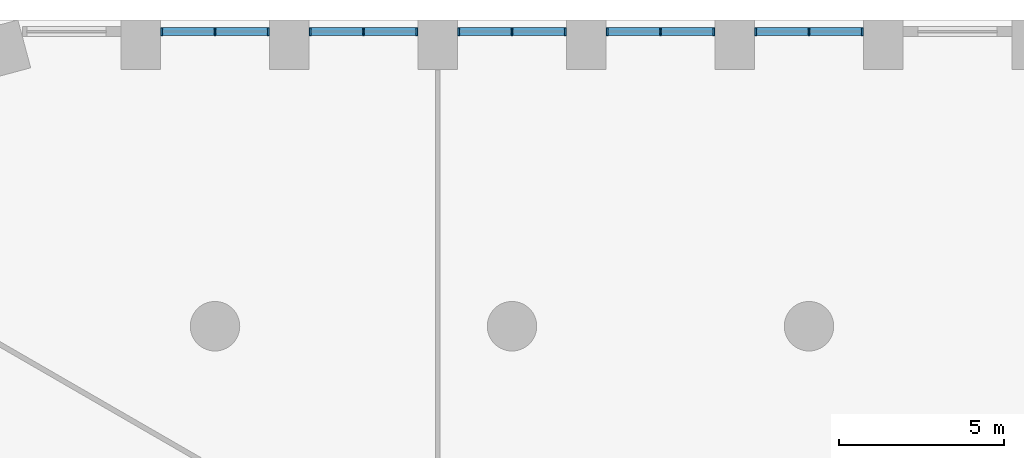
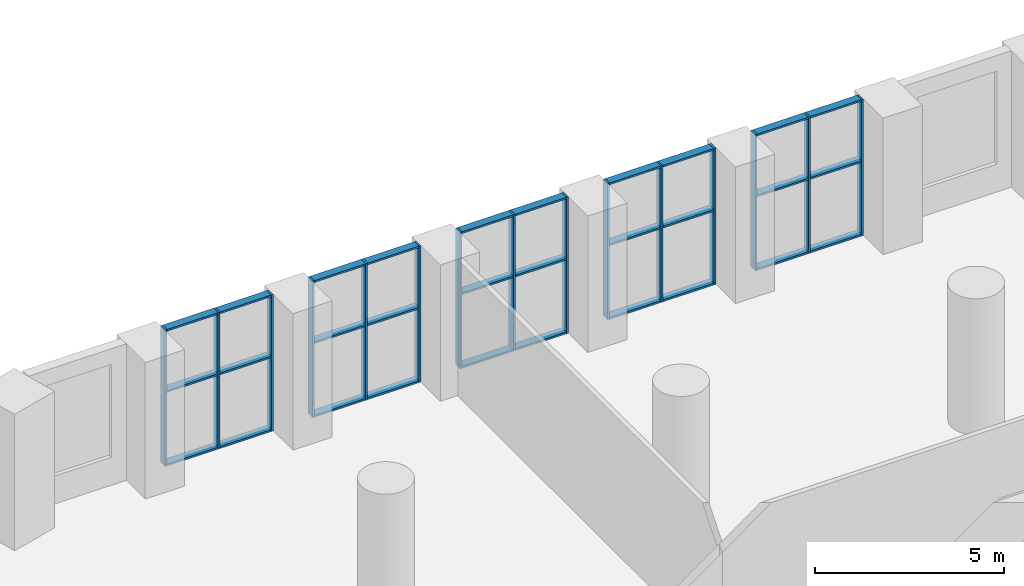
# One storey, part 3 of 21: 45 members, 5 elements without a shape of their own.
"""IFC4 building model written with IfcOpenShell, lengths in metres."""

import ifcopenshell
import ifcopenshell.guid

model = None  # the IFC model being written
_history = None  # IfcOwnerHistory: only IFC2X3 demands one
_inside = {}  # id of a spatial element -> (the spatial element, [elements in it])
_under = {}  # id of a project, library or spatial element -> (it, [spatial elements below it])
_declared = {}  # id of a project -> (the project, [libraries it declares])
_typed = {}  # id of a type object -> (the type object, [elements of that type])
_made_of = {}  # id of a material, layer set ... -> (it, [elements and type objects made of it])


def new_model(schema):
    """Start an empty IFC model of exactly this schema.

    Asked for "IFC4X3", IfcOpenShell would pick the latest addendum, in which some entities
    have other attributes; the version numbers below select the first issue.
    IFC2X3 requires an IfcOwnerHistory on every rooted entity: one is made here for all.
    """
    global model, _history
    if schema == "IFC4X3":
        model = ifcopenshell.file(schema_version=(4, 3, 0, 0))
    else:
        model = ifcopenshell.file(schema=schema)
    _inside.clear()
    _under.clear()
    _declared.clear()
    _typed.clear()
    _made_of.clear()
    _history = None
    if model.schema == "IFC2X3":
        org = make("IfcOrganization", Name="unknown")
        user = make(
            "IfcPersonAndOrganization",
            ThePerson=make("IfcPerson", FamilyName="unknown"),
            TheOrganization=org,
        )
        app = make(
            "IfcApplication",
            ApplicationDeveloper=org,
            Version="unknown",
            ApplicationFullName="unknown",
            ApplicationIdentifier="unknown",
        )
        _history = make(
            "IfcOwnerHistory",
            OwningUser=user,
            OwningApplication=app,
            ChangeAction="ADDED",
            CreationDate=0,
        )
    return model


def make(cls, **values):
    """One entity of the class cls with the attributes given. An attribute that is None is left unset."""
    return model.create_entity(
        cls, **{name: value for name, value in values.items() if value is not None}
    )


def rooted(cls, **values):
    """An entity with a GlobalId (a new one), such as an element, a storey or a relation."""
    return make(cls, GlobalId=ifcopenshell.guid.new(), OwnerHistory=_history, **values)


def si_unit(unit_type, name, prefix=None):
    """IfcSIUnit, for example si_unit("LENGTHUNIT", "METRE", prefix="MILLI")."""
    return make("IfcSIUnit", UnitType=unit_type, Prefix=prefix, Name=name)


def assignment(units):
    """IfcUnitAssignment: the units of a project."""
    return None if units is None else make("IfcUnitAssignment", Units=units)


def point(xyz):
    """IfcCartesianPoint."""
    return None if xyz is None else make("IfcCartesianPoint", Coordinates=xyz)


def direction(xyz):
    """IfcDirection."""
    return None if xyz is None else make("IfcDirection", DirectionRatios=xyz)


def frame(location, z_axis=None, x_axis=None):
    """IfcAxis2Placement3D, a coordinate frame: its origin and axes. An axis left out is left unset."""
    return make(
        "IfcAxis2Placement3D",
        Location=point(location),
        Axis=direction(z_axis),
        RefDirection=direction(x_axis),
    )


def frame_2d(location, x_axis=None):
    """IfcAxis2Placement2D, a coordinate frame in the plane: its origin and x axis."""
    return make(
        "IfcAxis2Placement2D", Location=point(location), RefDirection=direction(x_axis)
    )


def origin():
    """The frame at (0, 0, 0) with its axes left unset."""
    return frame((0.0, 0.0, 0.0))


def origin_2d():
    """The frame at (0, 0) in the plane with its x axis left unset."""
    return frame_2d((0.0, 0.0))


def place(relative_to, where):
    """IfcLocalPlacement: puts the frame where relative to a parent placement (None: the world)."""
    return make(
        "IfcLocalPlacement", PlacementRelTo=relative_to, RelativePlacement=where
    )


def context(
    kind, dimensions, precision=None, world=None, true_north=None, identifier=None
):
    """IfcGeometricRepresentationContext, for example the 3D "Model" context."""
    return make(
        "IfcGeometricRepresentationContext",
        ContextIdentifier=identifier,
        ContextType=kind,
        CoordinateSpaceDimension=dimensions,
        Precision=precision,
        WorldCoordinateSystem=world,
        TrueNorth=true_north,
    )


def subcontext(parent, identifier, kind, view, scale=None):
    """IfcGeometricRepresentationSubContext, for example "Body" below "Model"."""
    return make(
        "IfcGeometricRepresentationSubContext",
        ContextIdentifier=identifier,
        ContextType=kind,
        ParentContext=parent,
        TargetScale=scale,
        TargetView=view,
    )


def project(units=None, contexts=None):
    """IfcProject with its units and contexts."""
    return rooted(
        "IfcProject",
        Name="project",
        RepresentationContexts=contexts,
        UnitsInContext=assignment(units),
    )


def spatial(cls, under=None, at=None, **own):
    """A site, building, storey or space (cls), placed at a placement, below another one or the project."""
    s = rooted(cls, ObjectPlacement=at, **own)
    if under is not None:
        _under.setdefault(under.id(), (under, []))[1].append(s)
    return s


def profile(cls, at=None, kind="AREA", **sizes):
    """A parametric profile (cls). Its sizes go by their IFC names, for example OverallWidth=200.0."""
    return make(cls, ProfileType=kind, Position=at, **sizes)


def rectangle(**sizes):
    """IfcRectangleProfileDef."""
    return profile("IfcRectangleProfileDef", **sizes)


def extrude(swept, where, along, depth):
    """IfcExtrudedAreaSolid: the profile swept, set in the frame where, extruded along a direction by depth."""
    return make(
        "IfcExtrudedAreaSolid",
        SweptArea=swept,
        Position=where,
        ExtrudedDirection=direction(along),
        Depth=depth,
    )


def shape(context_of_items, identifier, shape_type, items):
    """IfcShapeRepresentation: the items that make up one representation, for example the "Body"."""
    return make(
        "IfcShapeRepresentation",
        ContextOfItems=context_of_items,
        RepresentationIdentifier=identifier,
        RepresentationType=shape_type,
        Items=items,
    )


def material(Name=None, Category=None):
    """IfcMaterial."""
    return make("IfcMaterial", Name=Name, Category=Category)


def layer(
    of_material, thickness, ventilated=None, Name=None, Category=None, Priority=None
):
    """IfcMaterialLayer: one layer of a wall or slab, of a material (None: an air gap)."""
    return make(
        "IfcMaterialLayer",
        Material=of_material,
        LayerThickness=thickness,
        IsVentilated=ventilated,
        Name=Name,
        Category=Category,
        Priority=Priority,
    )


def layer_set(layers, Name=None):
    """IfcMaterialLayerSet."""
    return make("IfcMaterialLayerSet", MaterialLayers=layers, LayerSetName=Name)


def material_profile(
    of_material, cross_section, Name=None, Category=None, Priority=None
):
    """IfcMaterialProfile: a cross section and its material."""
    return make(
        "IfcMaterialProfile",
        Name=Name,
        Material=of_material,
        Profile=cross_section,
        Priority=Priority,
        Category=Category,
    )


def profile_set(profiles, Name=None, composite=None):
    """IfcMaterialProfileSet."""
    return make(
        "IfcMaterialProfileSet",
        Name=Name,
        MaterialProfiles=profiles,
        CompositeProfile=composite,
    )


def made_of(thing, what):
    """Note that an element or type object is made of a material, layer set ...; save() writes the relation."""
    if what is not None:
        _made_of.setdefault(what.id(), (what, []))[1].append(thing)
    return thing


def type_object(cls, material=None, **own):
    """A type object (cls), such as IfcWallType, which elements share."""
    return made_of(rooted(cls, **own), material)


def element(
    cls,
    number,
    at=None,
    inside=None,
    cuts=None,
    type_object=None,
    material=None,
    context=None,
    identifier="Body",
    shape_type=None,
    held_by="IfcProductDefinitionShape",
    body=None,
    shapes=None,
    **own,
):
    """One element of the class cls, such as IfcWall. Its Tag is "e" and its number.

    at: its placement. inside: the storey or other place that contains it. cuts: it is an
    opening in that element (IfcRelVoidsElement). A single representation is given by context,
    identifier, shape_type and body (its items); several are given by shapes. held_by: the class
    of the entity that holds the representations. save() writes the other relations.
    """
    e = rooted(cls, Tag="e%d" % number, ObjectPlacement=at, **own)
    if body is not None:
        shapes = [shape(context, identifier, shape_type, body)]
    if shapes is not None:
        e.Representation = make(held_by, Representations=shapes)
    if inside is not None:
        _inside.setdefault(inside.id(), (inside, []))[1].append(e)
    if cuts is not None:
        rooted(
            "IfcRelVoidsElement", RelatingBuildingElement=cuts, RelatedOpeningElement=e
        )
    if type_object is not None:
        _typed.setdefault(type_object.id(), (type_object, []))[1].append(e)
    return made_of(e, material)


def aggregate(whole, parts):
    """IfcRelAggregates: a whole, such as a stair, and the parts it consists of."""
    return rooted("IfcRelAggregates", RelatingObject=whole, RelatedObjects=parts)


def save(model, path):
    """Write the relations noted so far, then the file.

    IfcRelAggregates (storeys below a building ...), IfcRelContainedInSpatialStructure (elements
    in a storey), IfcRelDefinesByType, IfcRelAssociatesMaterial and IfcRelDeclares: one each for
    every whole, place, type object, material and project.
    """
    for whole, parts in _under.values():
        aggregate(whole, parts)
    for where, things in _inside.values():
        rooted(
            "IfcRelContainedInSpatialStructure",
            RelatedElements=things,
            RelatingStructure=where,
        )
    for kind, things in _typed.values():
        rooted("IfcRelDefinesByType", RelatedObjects=things, RelatingType=kind)
    for what, things in _made_of.values():
        rooted("IfcRelAssociatesMaterial", RelatedObjects=things, RelatingMaterial=what)
    for by, libraries in _declared.values():
        rooted("IfcRelDeclares", RelatingContext=by, RelatedDefinitions=libraries)
    model.write(path)


model = new_model("IFC4")

# Units and contexts
model_context = context("Model", 3, precision=1e-05, world=origin(), true_north=direction((0.0, 1.0)))
body_context = subcontext(model_context, "Body", "Model", "MODEL_VIEW")
ifc_project = project(units=[si_unit("LENGTHUNIT", "METRE"), si_unit("AREAUNIT", "SQUARE_METRE"), si_unit("VOLUMEUNIT", "CUBIC_METRE"), si_unit("PLANEANGLEUNIT", "RADIAN"), si_unit("MASSUNIT", "GRAM", prefix="KILO")], contexts=[model_context])

# Site, building, storey
site_placement = place(None, origin())
site = spatial("IfcSite", under=ifc_project, at=site_placement, CompositionType="ELEMENT")
building_placement = place(site_placement, origin())
building = spatial("IfcBuilding", under=site, at=building_placement, Name="Dhurran Vertical Campus", CompositionType="ELEMENT")
storey_placement = place(building_placement, frame((0.0, 0.0, 20.39990234375)))
storey = spatial("IfcBuildingStorey", under=building, at=storey_placement, Name="L04", CompositionType="ELEMENT", Elevation=20.39990234375)

# Curtain wall, members
ifc_material_1 = material(Name="Aluminium frame with solar-control glass", Category="aluminium")
ifc_layer = layer(ifc_material_1, 0.25)
ifc_layer_set = layer_set([ifc_layer], Name="Aluminium frame with solar-control glass")
curtain_wall_type = type_object("IfcCurtainWallType", Name="Library atrium glazing system", PredefinedType="NOTDEFINED", material=ifc_layer_set)
curtain_wall_1_placement = place(storey_placement, origin())
curtain_wall_1 = element("IfcCurtainWall", 1, at=curtain_wall_1_placement, inside=storey, type_object=curtain_wall_type, Name="CW2 L04.29", PredefinedType="NOTDEFINED")
ifc_material_2 = material(Name="Aluminium mullion", Category="aluminium")
ifc_material_profile_1 = material_profile(ifc_material_2, rectangle(XDim=0.239990234375, YDim=0.06005859375, at=origin_2d()), Name="Library atrium glazing system mullion")
ifc_profile_set_1 = profile_set([ifc_material_profile_1], Name="Aluminium mullion")
member_type_1 = type_object("IfcMemberType", Name="Library atrium glazing system mullion", PredefinedType="MULLION", material=ifc_profile_set_1)
member_1_placement = place(storey_placement, frame((6.119384765625, 31.4296875, 0.0), z_axis=(0.0, 0.0, 1.0), x_axis=(0.0, -1.0, 0.0)))
member_1 = element("IfcMember", 2, at=member_1_placement, type_object=member_type_1, Name="CW2 mullion 1", PredefinedType="MULLION", context=body_context, shape_type="SweptSolid", body=[
    extrude(rectangle(XDim=0.239990234375, YDim=0.06005859375, at=origin_2d()), origin(), (0.0, 0.0, 1.0), 4.400146484375),
])
member_2_placement = place(storey_placement, frame((4.5, 31.4296875, 0.0), z_axis=(0.0, 0.0, 1.0), x_axis=(0.0, -1.0, 0.0)))
member_2 = element("IfcMember", 3, at=member_2_placement, type_object=member_type_1, Name="CW2 mullion 2", PredefinedType="MULLION", context=body_context, shape_type="SweptSolid", body=[
    extrude(rectangle(XDim=0.239990234375, YDim=0.06005859375, at=origin_2d()), origin(), (0.0, 0.0, 1.0), 4.400146484375),
])
member_3_placement = place(storey_placement, frame((2.880615234375, 31.4296875, 0.0), z_axis=(0.0, 0.0, 1.0), x_axis=(0.0, -1.0, 0.0)))
member_3 = element("IfcMember", 4, at=member_3_placement, type_object=member_type_1, Name="CW2 mullion 3", PredefinedType="MULLION", context=body_context, shape_type="SweptSolid", body=[
    extrude(rectangle(XDim=0.239990234375, YDim=0.06005859375, at=origin_2d()), origin(), (0.0, 0.0, 1.0), 4.400146484375),
])

curtain_wall_2_placement = place(storey_placement, origin())
curtain_wall_2 = element("IfcCurtainWall", 5, at=curtain_wall_2_placement, inside=storey, type_object=curtain_wall_type, Name="CW2 L04.30", PredefinedType="NOTDEFINED")
member_4_placement = place(storey_placement, frame((1.619384765625, 31.4296875, 0.0), z_axis=(0.0, 0.0, 1.0), x_axis=(0.0, -1.0, 0.0)))
member_4 = element("IfcMember", 6, at=member_4_placement, type_object=member_type_1, Name="CW2 mullion 1", PredefinedType="MULLION", context=body_context, shape_type="SweptSolid", body=[
    extrude(rectangle(XDim=0.239990234375, YDim=0.06005859375, at=origin_2d()), origin(), (0.0, 0.0, 1.0), 4.400146484375),
])
member_5_placement = place(storey_placement, frame((0.0, 31.4296875, 0.0), z_axis=(0.0, 0.0, 1.0), x_axis=(0.0, -1.0, 0.0)))
member_5 = element("IfcMember", 7, at=member_5_placement, type_object=member_type_1, Name="CW2 mullion 2", PredefinedType="MULLION", context=body_context, shape_type="SweptSolid", body=[
    extrude(rectangle(XDim=0.239990234375, YDim=0.06005859375, at=origin_2d()), origin(), (0.0, 0.0, 1.0), 4.400146484375),
])
member_6_placement = place(storey_placement, frame((-1.619384765625, 31.4296875, 0.0), z_axis=(0.0, 0.0, 1.0), x_axis=(0.0, -1.0, 0.0)))
member_6 = element("IfcMember", 8, at=member_6_placement, type_object=member_type_1, Name="CW2 mullion 3", PredefinedType="MULLION", context=body_context, shape_type="SweptSolid", body=[
    extrude(rectangle(XDim=0.239990234375, YDim=0.06005859375, at=origin_2d()), origin(), (0.0, 0.0, 1.0), 4.400146484375),
])

curtain_wall_3_placement = place(storey_placement, origin())
curtain_wall_3 = element("IfcCurtainWall", 9, at=curtain_wall_3_placement, inside=storey, type_object=curtain_wall_type, Name="CW2 L04.31", PredefinedType="NOTDEFINED")
member_7_placement = place(storey_placement, frame((-2.880615234375, 31.4296875, 0.0), z_axis=(0.0, 0.0, 1.0), x_axis=(0.0, -1.0, 0.0)))
member_7 = element("IfcMember", 10, at=member_7_placement, type_object=member_type_1, Name="CW2 mullion 1", PredefinedType="MULLION", context=body_context, shape_type="SweptSolid", body=[
    extrude(rectangle(XDim=0.239990234375, YDim=0.06005859375, at=origin_2d()), origin(), (0.0, 0.0, 1.0), 4.400146484375),
])
member_8_placement = place(storey_placement, frame((-4.5, 31.4296875, 0.0), z_axis=(0.0, 0.0, 1.0), x_axis=(0.0, -1.0, 0.0)))
member_8 = element("IfcMember", 11, at=member_8_placement, type_object=member_type_1, Name="CW2 mullion 2", PredefinedType="MULLION", context=body_context, shape_type="SweptSolid", body=[
    extrude(rectangle(XDim=0.239990234375, YDim=0.06005859375, at=origin_2d()), origin(), (0.0, 0.0, 1.0), 4.400146484375),
])
member_9_placement = place(storey_placement, frame((-6.119384765625, 31.4296875, 0.0), z_axis=(0.0, 0.0, 1.0), x_axis=(0.0, -1.0, 0.0)))
member_9 = element("IfcMember", 12, at=member_9_placement, type_object=member_type_1, Name="CW2 mullion 3", PredefinedType="MULLION", context=body_context, shape_type="SweptSolid", body=[
    extrude(rectangle(XDim=0.239990234375, YDim=0.06005859375, at=origin_2d()), origin(), (0.0, 0.0, 1.0), 4.400146484375),
])

curtain_wall_4_placement = place(storey_placement, origin())
curtain_wall_4 = element("IfcCurtainWall", 13, at=curtain_wall_4_placement, inside=storey, type_object=curtain_wall_type, Name="CW2 L04.32", PredefinedType="NOTDEFINED")
member_10_placement = place(storey_placement, frame((-7.380615234375, 31.4296875, 0.0), z_axis=(0.0, 0.0, 1.0), x_axis=(0.0, -1.0, 0.0)))
member_10 = element("IfcMember", 14, at=member_10_placement, type_object=member_type_1, Name="CW2 mullion 1", PredefinedType="MULLION", context=body_context, shape_type="SweptSolid", body=[
    extrude(rectangle(XDim=0.239990234375, YDim=0.06005859375, at=origin_2d()), origin(), (0.0, 0.0, 1.0), 4.400146484375),
])
member_11_placement = place(storey_placement, frame((-9.0, 31.4296875, 0.0), z_axis=(0.0, 0.0, 1.0), x_axis=(0.0, -1.0, 0.0)))
member_11 = element("IfcMember", 15, at=member_11_placement, type_object=member_type_1, Name="CW2 mullion 2", PredefinedType="MULLION", context=body_context, shape_type="SweptSolid", body=[
    extrude(rectangle(XDim=0.239990234375, YDim=0.06005859375, at=origin_2d()), origin(), (0.0, 0.0, 1.0), 4.400146484375),
])
member_12_placement = place(storey_placement, frame((-10.619384765625, 31.4296875, 0.0), z_axis=(0.0, 0.0, 1.0), x_axis=(0.0, -1.0, 0.0)))
member_12 = element("IfcMember", 16, at=member_12_placement, type_object=member_type_1, Name="CW2 mullion 3", PredefinedType="MULLION", context=body_context, shape_type="SweptSolid", body=[
    extrude(rectangle(XDim=0.239990234375, YDim=0.06005859375, at=origin_2d()), origin(), (0.0, 0.0, 1.0), 4.400146484375),
])

curtain_wall_5_placement = place(storey_placement, origin())
curtain_wall_5 = element("IfcCurtainWall", 17, at=curtain_wall_5_placement, inside=storey, type_object=curtain_wall_type, Name="CW2 L04.33", PredefinedType="NOTDEFINED")
member_13_placement = place(storey_placement, frame((-11.880615234375, 31.4296875, 0.0), z_axis=(0.0, 0.0, 1.0), x_axis=(0.0, -1.0, 0.0)))
member_13 = element("IfcMember", 18, at=member_13_placement, type_object=member_type_1, Name="CW2 mullion 1", PredefinedType="MULLION", context=body_context, shape_type="SweptSolid", body=[
    extrude(rectangle(XDim=0.239990234375, YDim=0.06005859375, at=origin_2d()), origin(), (0.0, 0.0, 1.0), 4.400146484375),
])
member_14_placement = place(storey_placement, frame((-13.5, 31.4296875, 0.0), z_axis=(0.0, 0.0, 1.0), x_axis=(0.0, -1.0, 0.0)))
member_14 = element("IfcMember", 19, at=member_14_placement, type_object=member_type_1, Name="CW2 mullion 2", PredefinedType="MULLION", context=body_context, shape_type="SweptSolid", body=[
    extrude(rectangle(XDim=0.239990234375, YDim=0.06005859375, at=origin_2d()), origin(), (0.0, 0.0, 1.0), 4.400146484375),
])
member_15_placement = place(storey_placement, frame((-15.119384765625, 31.4296875, 0.0), z_axis=(0.0, 0.0, 1.0), x_axis=(0.0, -1.0, 0.0)))
member_15 = element("IfcMember", 20, at=member_15_placement, type_object=member_type_1, Name="CW2 mullion 3", PredefinedType="MULLION", context=body_context, shape_type="SweptSolid", body=[
    extrude(rectangle(XDim=0.239990234375, YDim=0.06005859375, at=origin_2d()), origin(), (0.0, 0.0, 1.0), 4.400146484375),
])

# Member
ifc_material_3 = material(Name="Aluminium transom", Category="aluminium")
ifc_material_profile_2 = material_profile(ifc_material_3, rectangle(XDim=0.239990234375, YDim=0.06005859375, at=origin_2d()), Name="Library atrium glazing system transom")
ifc_profile_set_2 = profile_set([ifc_material_profile_2], Name="Aluminium transom")
member_type_2 = type_object("IfcMemberType", Name="Library atrium glazing system transom", PredefinedType="USERDEFINED", material=ifc_profile_set_2)
member_16_placement = place(storey_placement, frame((6.089599609375, 31.4296875, 0.030029296875), z_axis=(-1.0, 0.0, 0.0), x_axis=(0.0, -1.0, 0.0)))
member_16 = element("IfcMember", 21, at=member_16_placement, type_object=member_type_2, Name="CW2 transom 1.1", ObjectType="TRANSOM", PredefinedType="USERDEFINED", context=body_context, shape_type="SweptSolid", body=[
    extrude(rectangle(XDim=0.239990234375, YDim=0.06005859375, at=origin_2d()), origin(), (0.0, 0.0, 1.0), 1.5595703125),
])

member_17_placement = place(storey_placement, frame((6.089599609375, 31.4296875, 2.400146484375), z_axis=(-1.0, 0.0, 0.0), x_axis=(0.0, -1.0, 0.0)))
member_17 = element("IfcMember", 22, at=member_17_placement, type_object=member_type_2, Name="CW2 transom 1.2", ObjectType="TRANSOM", PredefinedType="USERDEFINED", context=body_context, shape_type="SweptSolid", body=[
    extrude(rectangle(XDim=0.239990234375, YDim=0.06005859375, at=origin_2d()), origin(), (0.0, 0.0, 1.0), 1.5595703125),
])

member_18_placement = place(storey_placement, frame((6.089599609375, 31.4296875, 4.3701171875), z_axis=(-1.0, 0.0, 0.0), x_axis=(0.0, -1.0, 0.0)))
member_18 = element("IfcMember", 23, at=member_18_placement, type_object=member_type_2, Name="CW2 transom 1.3", ObjectType="TRANSOM", PredefinedType="USERDEFINED", context=body_context, shape_type="SweptSolid", body=[
    extrude(rectangle(XDim=0.239990234375, YDim=0.06005859375, at=origin_2d()), origin(), (0.0, 0.0, 1.0), 1.5595703125),
])

member_19_placement = place(storey_placement, frame((4.469970703125, 31.4296875, 0.030029296875), z_axis=(-1.0, 0.0, 0.0), x_axis=(0.0, -1.0, 0.0)))
member_19 = element("IfcMember", 24, at=member_19_placement, type_object=member_type_2, Name="CW2 transom 2.1", ObjectType="TRANSOM", PredefinedType="USERDEFINED", context=body_context, shape_type="SweptSolid", body=[
    extrude(rectangle(XDim=0.239990234375, YDim=0.06005859375, at=origin_2d()), origin(), (0.0, 0.0, 1.0), 1.5595703125),
])

member_20_placement = place(storey_placement, frame((4.469970703125, 31.4296875, 2.400146484375), z_axis=(-1.0, 0.0, 0.0), x_axis=(0.0, -1.0, 0.0)))
member_20 = element("IfcMember", 25, at=member_20_placement, type_object=member_type_2, Name="CW2 transom 2.2", ObjectType="TRANSOM", PredefinedType="USERDEFINED", context=body_context, shape_type="SweptSolid", body=[
    extrude(rectangle(XDim=0.239990234375, YDim=0.06005859375, at=origin_2d()), origin(), (0.0, 0.0, 1.0), 1.5595703125),
])

member_21_placement = place(storey_placement, frame((4.469970703125, 31.4296875, 4.3701171875), z_axis=(-1.0, 0.0, 0.0), x_axis=(0.0, -1.0, 0.0)))
member_21 = element("IfcMember", 26, at=member_21_placement, type_object=member_type_2, Name="CW2 transom 2.3", ObjectType="TRANSOM", PredefinedType="USERDEFINED", context=body_context, shape_type="SweptSolid", body=[
    extrude(rectangle(XDim=0.239990234375, YDim=0.06005859375, at=origin_2d()), origin(), (0.0, 0.0, 1.0), 1.5595703125),
])

aggregate(curtain_wall_1, [member_1, member_2, member_3, member_16, member_17, member_18, member_19, member_20, member_21])

member_22_placement = place(storey_placement, frame((1.589599609375, 31.4296875, 0.030029296875), z_axis=(-1.0, 0.0, 0.0), x_axis=(0.0, -1.0, 0.0)))
member_22 = element("IfcMember", 27, at=member_22_placement, type_object=member_type_2, Name="CW2 transom 1.1", ObjectType="TRANSOM", PredefinedType="USERDEFINED", context=body_context, shape_type="SweptSolid", body=[
    extrude(rectangle(XDim=0.239990234375, YDim=0.06005859375, at=origin_2d()), origin(), (0.0, 0.0, 1.0), 1.5595703125),
])

member_23_placement = place(storey_placement, frame((1.589599609375, 31.4296875, 2.400146484375), z_axis=(-1.0, 0.0, 0.0), x_axis=(0.0, -1.0, 0.0)))
member_23 = element("IfcMember", 28, at=member_23_placement, type_object=member_type_2, Name="CW2 transom 1.2", ObjectType="TRANSOM", PredefinedType="USERDEFINED", context=body_context, shape_type="SweptSolid", body=[
    extrude(rectangle(XDim=0.239990234375, YDim=0.06005859375, at=origin_2d()), origin(), (0.0, 0.0, 1.0), 1.5595703125),
])

member_24_placement = place(storey_placement, frame((1.589599609375, 31.4296875, 4.3701171875), z_axis=(-1.0, 0.0, 0.0), x_axis=(0.0, -1.0, 0.0)))
member_24 = element("IfcMember", 29, at=member_24_placement, type_object=member_type_2, Name="CW2 transom 1.3", ObjectType="TRANSOM", PredefinedType="USERDEFINED", context=body_context, shape_type="SweptSolid", body=[
    extrude(rectangle(XDim=0.239990234375, YDim=0.06005859375, at=origin_2d()), origin(), (0.0, 0.0, 1.0), 1.5595703125),
])

member_25_placement = place(storey_placement, frame((-0.030029296875, 31.4296875, 0.030029296875), z_axis=(-1.0, 0.0, 0.0), x_axis=(0.0, -1.0, 0.0)))
member_25 = element("IfcMember", 30, at=member_25_placement, type_object=member_type_2, Name="CW2 transom 2.1", ObjectType="TRANSOM", PredefinedType="USERDEFINED", context=body_context, shape_type="SweptSolid", body=[
    extrude(rectangle(XDim=0.239990234375, YDim=0.06005859375, at=origin_2d()), origin(), (0.0, 0.0, 1.0), 1.5595703125),
])

member_26_placement = place(storey_placement, frame((-0.030029296875, 31.4296875, 2.400146484375), z_axis=(-1.0, 0.0, 0.0), x_axis=(0.0, -1.0, 0.0)))
member_26 = element("IfcMember", 31, at=member_26_placement, type_object=member_type_2, Name="CW2 transom 2.2", ObjectType="TRANSOM", PredefinedType="USERDEFINED", context=body_context, shape_type="SweptSolid", body=[
    extrude(rectangle(XDim=0.239990234375, YDim=0.06005859375, at=origin_2d()), origin(), (0.0, 0.0, 1.0), 1.5595703125),
])

member_27_placement = place(storey_placement, frame((-0.030029296875, 31.4296875, 4.3701171875), z_axis=(-1.0, 0.0, 0.0), x_axis=(0.0, -1.0, 0.0)))
member_27 = element("IfcMember", 32, at=member_27_placement, type_object=member_type_2, Name="CW2 transom 2.3", ObjectType="TRANSOM", PredefinedType="USERDEFINED", context=body_context, shape_type="SweptSolid", body=[
    extrude(rectangle(XDim=0.239990234375, YDim=0.06005859375, at=origin_2d()), origin(), (0.0, 0.0, 1.0), 1.5595703125),
])

aggregate(curtain_wall_2, [member_4, member_5, member_6, member_22, member_23, member_24, member_25, member_26, member_27])

member_28_placement = place(storey_placement, frame((-2.910400390625, 31.4296875, 0.030029296875), z_axis=(-1.0, 0.0, 0.0), x_axis=(0.0, -1.0, 0.0)))
member_28 = element("IfcMember", 33, at=member_28_placement, type_object=member_type_2, Name="CW2 transom 1.1", ObjectType="TRANSOM", PredefinedType="USERDEFINED", context=body_context, shape_type="SweptSolid", body=[
    extrude(rectangle(XDim=0.239990234375, YDim=0.06005859375, at=origin_2d()), origin(), (0.0, 0.0, 1.0), 1.5595703125),
])

member_29_placement = place(storey_placement, frame((-2.910400390625, 31.4296875, 2.400146484375), z_axis=(-1.0, 0.0, 0.0), x_axis=(0.0, -1.0, 0.0)))
member_29 = element("IfcMember", 34, at=member_29_placement, type_object=member_type_2, Name="CW2 transom 1.2", ObjectType="TRANSOM", PredefinedType="USERDEFINED", context=body_context, shape_type="SweptSolid", body=[
    extrude(rectangle(XDim=0.239990234375, YDim=0.06005859375, at=origin_2d()), origin(), (0.0, 0.0, 1.0), 1.5595703125),
])

member_30_placement = place(storey_placement, frame((-2.910400390625, 31.4296875, 4.3701171875), z_axis=(-1.0, 0.0, 0.0), x_axis=(0.0, -1.0, 0.0)))
member_30 = element("IfcMember", 35, at=member_30_placement, type_object=member_type_2, Name="CW2 transom 1.3", ObjectType="TRANSOM", PredefinedType="USERDEFINED", context=body_context, shape_type="SweptSolid", body=[
    extrude(rectangle(XDim=0.239990234375, YDim=0.06005859375, at=origin_2d()), origin(), (0.0, 0.0, 1.0), 1.5595703125),
])

member_31_placement = place(storey_placement, frame((-4.530029296875, 31.4296875, 0.030029296875), z_axis=(-1.0, 0.0, 0.0), x_axis=(0.0, -1.0, 0.0)))
member_31 = element("IfcMember", 36, at=member_31_placement, type_object=member_type_2, Name="CW2 transom 2.1", ObjectType="TRANSOM", PredefinedType="USERDEFINED", context=body_context, shape_type="SweptSolid", body=[
    extrude(rectangle(XDim=0.239990234375, YDim=0.06005859375, at=origin_2d()), origin(), (0.0, 0.0, 1.0), 1.5595703125),
])

member_32_placement = place(storey_placement, frame((-4.530029296875, 31.4296875, 2.400146484375), z_axis=(-1.0, 0.0, 0.0), x_axis=(0.0, -1.0, 0.0)))
member_32 = element("IfcMember", 37, at=member_32_placement, type_object=member_type_2, Name="CW2 transom 2.2", ObjectType="TRANSOM", PredefinedType="USERDEFINED", context=body_context, shape_type="SweptSolid", body=[
    extrude(rectangle(XDim=0.239990234375, YDim=0.06005859375, at=origin_2d()), origin(), (0.0, 0.0, 1.0), 1.5595703125),
])

member_33_placement = place(storey_placement, frame((-4.530029296875, 31.4296875, 4.3701171875), z_axis=(-1.0, 0.0, 0.0), x_axis=(0.0, -1.0, 0.0)))
member_33 = element("IfcMember", 38, at=member_33_placement, type_object=member_type_2, Name="CW2 transom 2.3", ObjectType="TRANSOM", PredefinedType="USERDEFINED", context=body_context, shape_type="SweptSolid", body=[
    extrude(rectangle(XDim=0.239990234375, YDim=0.06005859375, at=origin_2d()), origin(), (0.0, 0.0, 1.0), 1.5595703125),
])

aggregate(curtain_wall_3, [member_7, member_8, member_9, member_28, member_29, member_30, member_31, member_32, member_33])

member_34_placement = place(storey_placement, frame((-7.410400390625, 31.4296875, 0.030029296875), z_axis=(-1.0, 0.0, 0.0), x_axis=(0.0, -1.0, 0.0)))
member_34 = element("IfcMember", 39, at=member_34_placement, type_object=member_type_2, Name="CW2 transom 1.1", ObjectType="TRANSOM", PredefinedType="USERDEFINED", context=body_context, shape_type="SweptSolid", body=[
    extrude(rectangle(XDim=0.239990234375, YDim=0.06005859375, at=origin_2d()), origin(), (0.0, 0.0, 1.0), 1.5595703125),
])

member_35_placement = place(storey_placement, frame((-7.410400390625, 31.4296875, 2.400146484375), z_axis=(-1.0, 0.0, 0.0), x_axis=(0.0, -1.0, 0.0)))
member_35 = element("IfcMember", 40, at=member_35_placement, type_object=member_type_2, Name="CW2 transom 1.2", ObjectType="TRANSOM", PredefinedType="USERDEFINED", context=body_context, shape_type="SweptSolid", body=[
    extrude(rectangle(XDim=0.239990234375, YDim=0.06005859375, at=origin_2d()), origin(), (0.0, 0.0, 1.0), 1.5595703125),
])

member_36_placement = place(storey_placement, frame((-7.410400390625, 31.4296875, 4.3701171875), z_axis=(-1.0, 0.0, 0.0), x_axis=(0.0, -1.0, 0.0)))
member_36 = element("IfcMember", 41, at=member_36_placement, type_object=member_type_2, Name="CW2 transom 1.3", ObjectType="TRANSOM", PredefinedType="USERDEFINED", context=body_context, shape_type="SweptSolid", body=[
    extrude(rectangle(XDim=0.239990234375, YDim=0.06005859375, at=origin_2d()), origin(), (0.0, 0.0, 1.0), 1.5595703125),
])

member_37_placement = place(storey_placement, frame((-9.030029296875, 31.4296875, 0.030029296875), z_axis=(-1.0, 0.0, 0.0), x_axis=(0.0, -1.0, 0.0)))
member_37 = element("IfcMember", 42, at=member_37_placement, type_object=member_type_2, Name="CW2 transom 2.1", ObjectType="TRANSOM", PredefinedType="USERDEFINED", context=body_context, shape_type="SweptSolid", body=[
    extrude(rectangle(XDim=0.239990234375, YDim=0.06005859375, at=origin_2d()), origin(), (0.0, 0.0, 1.0), 1.5595703125),
])

member_38_placement = place(storey_placement, frame((-9.030029296875, 31.4296875, 2.400146484375), z_axis=(-1.0, 0.0, 0.0), x_axis=(0.0, -1.0, 0.0)))
member_38 = element("IfcMember", 43, at=member_38_placement, type_object=member_type_2, Name="CW2 transom 2.2", ObjectType="TRANSOM", PredefinedType="USERDEFINED", context=body_context, shape_type="SweptSolid", body=[
    extrude(rectangle(XDim=0.239990234375, YDim=0.06005859375, at=origin_2d()), origin(), (0.0, 0.0, 1.0), 1.5595703125),
])

member_39_placement = place(storey_placement, frame((-9.030029296875, 31.4296875, 4.3701171875), z_axis=(-1.0, 0.0, 0.0), x_axis=(0.0, -1.0, 0.0)))
member_39 = element("IfcMember", 44, at=member_39_placement, type_object=member_type_2, Name="CW2 transom 2.3", ObjectType="TRANSOM", PredefinedType="USERDEFINED", context=body_context, shape_type="SweptSolid", body=[
    extrude(rectangle(XDim=0.239990234375, YDim=0.06005859375, at=origin_2d()), origin(), (0.0, 0.0, 1.0), 1.5595703125),
])

aggregate(curtain_wall_4, [member_10, member_11, member_12, member_34, member_35, member_36, member_37, member_38, member_39])

member_40_placement = place(storey_placement, frame((-11.910400390625, 31.4296875, 0.030029296875), z_axis=(-1.0, 0.0, 0.0), x_axis=(0.0, -1.0, 0.0)))
member_40 = element("IfcMember", 45, at=member_40_placement, type_object=member_type_2, Name="CW2 transom 1.1", ObjectType="TRANSOM", PredefinedType="USERDEFINED", context=body_context, shape_type="SweptSolid", body=[
    extrude(rectangle(XDim=0.239990234375, YDim=0.06005859375, at=origin_2d()), origin(), (0.0, 0.0, 1.0), 1.5595703125),
])

member_41_placement = place(storey_placement, frame((-11.910400390625, 31.4296875, 2.400146484375), z_axis=(-1.0, 0.0, 0.0), x_axis=(0.0, -1.0, 0.0)))
member_41 = element("IfcMember", 46, at=member_41_placement, type_object=member_type_2, Name="CW2 transom 1.2", ObjectType="TRANSOM", PredefinedType="USERDEFINED", context=body_context, shape_type="SweptSolid", body=[
    extrude(rectangle(XDim=0.239990234375, YDim=0.06005859375, at=origin_2d()), origin(), (0.0, 0.0, 1.0), 1.5595703125),
])

member_42_placement = place(storey_placement, frame((-11.910400390625, 31.4296875, 4.3701171875), z_axis=(-1.0, 0.0, 0.0), x_axis=(0.0, -1.0, 0.0)))
member_42 = element("IfcMember", 47, at=member_42_placement, type_object=member_type_2, Name="CW2 transom 1.3", ObjectType="TRANSOM", PredefinedType="USERDEFINED", context=body_context, shape_type="SweptSolid", body=[
    extrude(rectangle(XDim=0.239990234375, YDim=0.06005859375, at=origin_2d()), origin(), (0.0, 0.0, 1.0), 1.5595703125),
])

member_43_placement = place(storey_placement, frame((-13.530029296875, 31.4296875, 0.030029296875), z_axis=(-1.0, 0.0, 0.0), x_axis=(0.0, -1.0, 0.0)))
member_43 = element("IfcMember", 48, at=member_43_placement, type_object=member_type_2, Name="CW2 transom 2.1", ObjectType="TRANSOM", PredefinedType="USERDEFINED", context=body_context, shape_type="SweptSolid", body=[
    extrude(rectangle(XDim=0.239990234375, YDim=0.06005859375, at=origin_2d()), origin(), (0.0, 0.0, 1.0), 1.5595703125),
])

member_44_placement = place(storey_placement, frame((-13.530029296875, 31.4296875, 2.400146484375), z_axis=(-1.0, 0.0, 0.0), x_axis=(0.0, -1.0, 0.0)))
member_44 = element("IfcMember", 49, at=member_44_placement, type_object=member_type_2, Name="CW2 transom 2.2", ObjectType="TRANSOM", PredefinedType="USERDEFINED", context=body_context, shape_type="SweptSolid", body=[
    extrude(rectangle(XDim=0.239990234375, YDim=0.06005859375, at=origin_2d()), origin(), (0.0, 0.0, 1.0), 1.5595703125),
])

member_45_placement = place(storey_placement, frame((-13.530029296875, 31.4296875, 4.3701171875), z_axis=(-1.0, 0.0, 0.0), x_axis=(0.0, -1.0, 0.0)))
member_45 = element("IfcMember", 50, at=member_45_placement, type_object=member_type_2, Name="CW2 transom 2.3", ObjectType="TRANSOM", PredefinedType="USERDEFINED", context=body_context, shape_type="SweptSolid", body=[
    extrude(rectangle(XDim=0.239990234375, YDim=0.06005859375, at=origin_2d()), origin(), (0.0, 0.0, 1.0), 1.5595703125),
])

aggregate(curtain_wall_5, [member_13, member_14, member_15, member_40, member_41, member_42, member_43, member_44, member_45])

save(model, "model.ifc")
